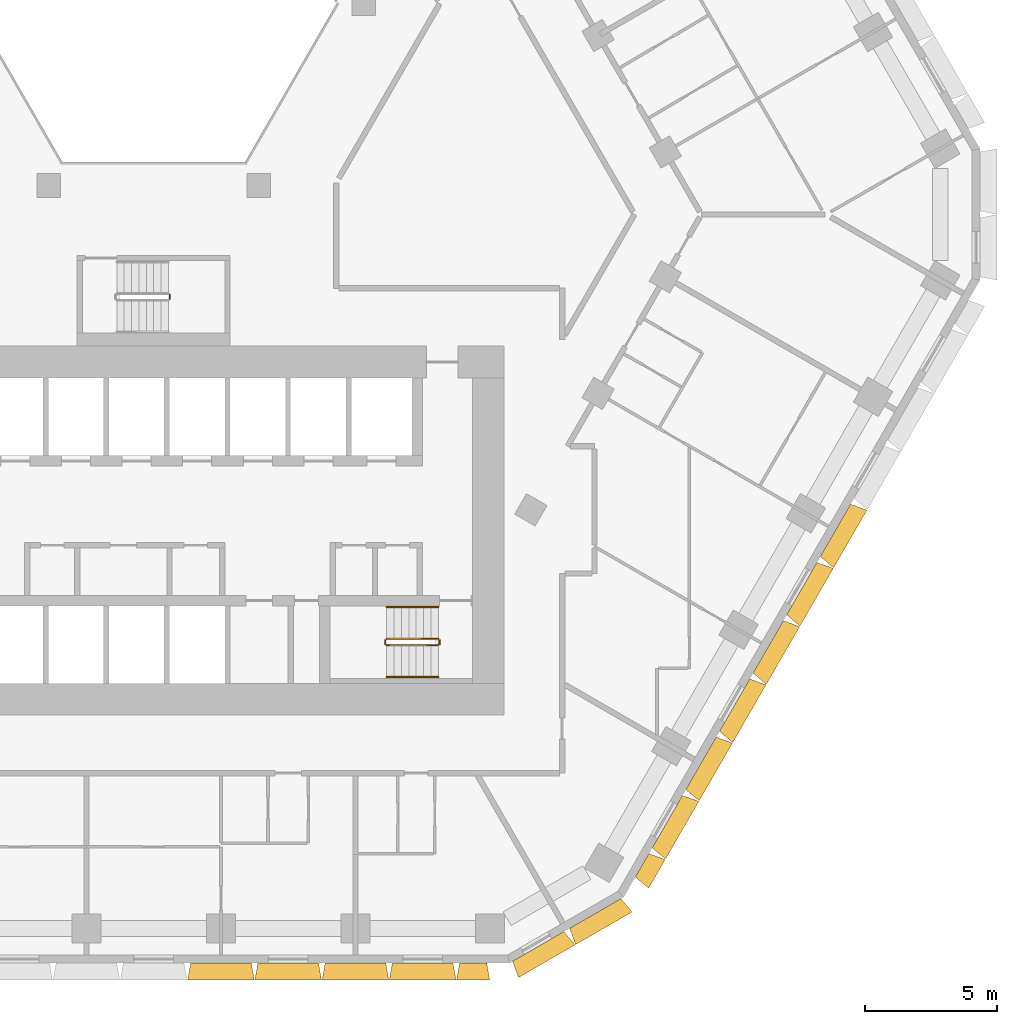
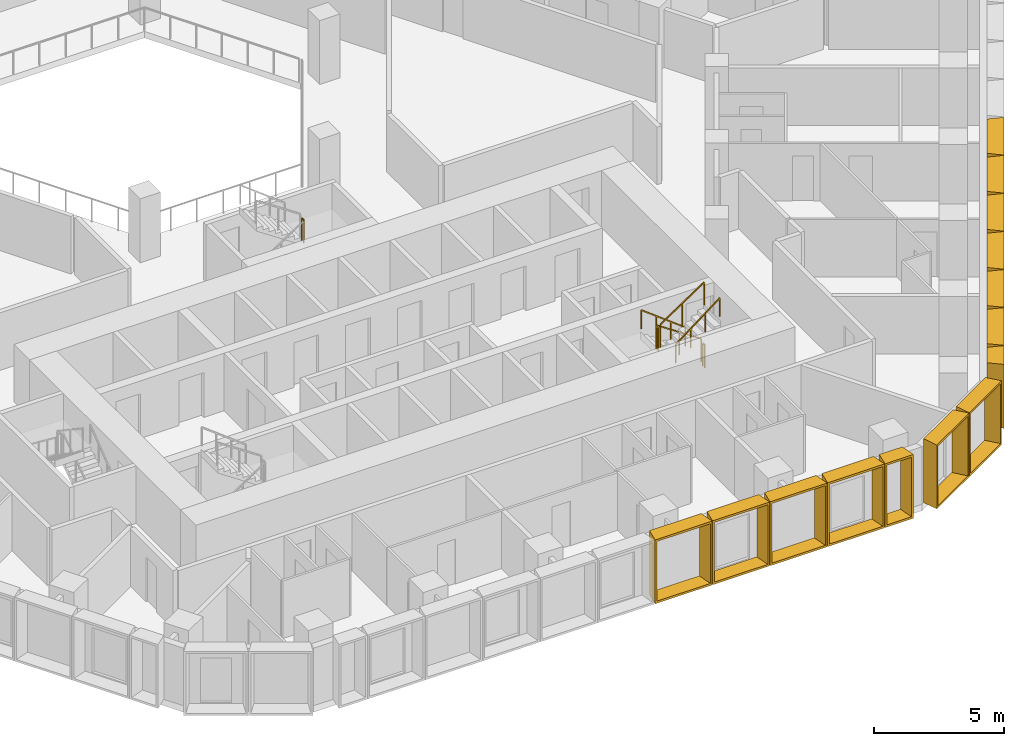
# One storey, part 15 of 16: 14 shading devices, 7 railings.
"""IFC4 building model written with IfcOpenShell, lengths in metres."""

from ifc_helpers import new_model, entity, si_unit, direction, frame, origin, origin_2d, place, context, subcontext, project, spatial, rectangle, extrude, source, transform, mapped, material, type_object, type_shapes, element, save


model = new_model("IFC4")

# Units and contexts
model_context = context("Model", 3, precision=1e-05, world=origin(), true_north=direction((0.0, 1.0)))
body_context = subcontext(model_context, "Body", "Model", "MODEL_VIEW")
ifc_project = project(units=[si_unit("LENGTHUNIT", "METRE"), si_unit("AREAUNIT", "SQUARE_METRE"), si_unit("VOLUMEUNIT", "CUBIC_METRE"), si_unit("PLANEANGLEUNIT", "RADIAN"), si_unit("MASSUNIT", "GRAM", prefix="KILO")], contexts=[model_context])

# Site, building, storey
site_placement = place(None, origin())
site = spatial("IfcSite", under=ifc_project, at=site_placement, CompositionType="ELEMENT")
building_placement = place(site_placement, origin())
building = spatial("IfcBuilding", under=site, at=building_placement, Name="Beryl Residences", CompositionType="ELEMENT")
storey_placement = place(building_placement, frame((0.0, 0.0, 56.39990234375)))
storey = spatial("IfcBuildingStorey", under=building, at=storey_placement, Name="L17", CompositionType="ELEMENT", Elevation=56.39990234375)

# Shading devices
ifc_material_1 = material(Name="Aluminium pale anodised", Category="aluminium")
shading_device_type_1 = type_object("IfcShadingDeviceType", Name="FR128-65A OUTER SKIN frame 650 mm deep, splay 10/10 deg, 1280 x 3000 mm cell", PredefinedType="USERDEFINED", material=ifc_material_1)
cartesian_point_1 = entity("IfcCartesianPoint", [-0.514892578125, 0.0])
cartesian_point_2 = entity("IfcCartesianPoint", [-0.433837890625, 0.10009765625])
cartesian_point_3 = entity("IfcCartesianPoint", [-0.629638671875, 0.0])
cartesian_point_4 = entity("IfcCartesianPoint", [-0.54833984375, 0.10009765625])
shared_shape_1 = source(origin(), body_context, "Body", "SweptSolid", [
    entity("IfcExtrudedAreaSolidTapered", entity("IfcArbitraryProfileDefWithVoids", "AREA", None, entity("IfcPolyline", [cartesian_point_1, entity("IfcCartesianPoint", [0.514892578125, 0.0]), entity("IfcCartesianPoint", [0.514892578125, 3.0]), entity("IfcCartesianPoint", [-0.514892578125, 3.0]), cartesian_point_1]), [entity("IfcPolyline", [cartesian_point_2, entity("IfcCartesianPoint", [0.433837890625, 0.10009765625]), entity("IfcCartesianPoint", [0.433837890625, 2.89990234375]), entity("IfcCartesianPoint", [-0.433837890625, 2.89990234375]), cartesian_point_2])]), entity("IfcAxis2Placement3D", entity("IfcCartesianPoint", [0.0, 0.0, 0.0]), entity("IfcDirection", [0.0, 1.0, 0.0]), entity("IfcDirection", [-1.0, 0.0, 0.0])), entity("IfcDirection", [0.0, 0.0, 1.0]), 0.64990234375, entity("IfcArbitraryProfileDefWithVoids", "AREA", None, entity("IfcPolyline", [cartesian_point_3, entity("IfcCartesianPoint", [0.629638671875, 0.0]), entity("IfcCartesianPoint", [0.629638671875, 3.0]), entity("IfcCartesianPoint", [-0.629638671875, 3.0]), cartesian_point_3]), [entity("IfcPolyline", [cartesian_point_4, entity("IfcCartesianPoint", [0.54833984375, 0.10009765625]), entity("IfcCartesianPoint", [0.54833984375, 2.89990234375]), entity("IfcCartesianPoint", [-0.54833984375, 2.89990234375]), cartesian_point_4])])),
])
type_shapes(shading_device_type_1, [shared_shape_1])
for number, where, z_axis, x_axis, name in (
    (1, (12.123046875, -28.39990234375, 0.0), (0.0, 0.0, 1.0), (-1.0, 0.0, 0.0), "FR128-65A frame L17 S 11"),
    (2, (18.534912109375, -24.697021484375, 0.0), (0.0, 0.0, 1.0), (-0.5, -0.866025403784, 0.0), "FR128-65A frame L17 SE 1"),
):
    element("IfcShadingDevice", number, at=place(storey_placement, frame(where, z_axis=z_axis, x_axis=x_axis)), inside=storey, type_object=shading_device_type_1, Name=name, ObjectType="OUTER SKIN", PredefinedType="USERDEFINED", context=body_context, shape_type="MappedRepresentation", body=[
        mapped(shared_shape_1, transform((0.0, 0.0, 0.0))),
    ])
ifc_material_2 = material(Name="Aluminium pale anodised", Category="aluminium")
shading_device_type_2 = type_object("IfcShadingDeviceType", Name="FR250-65A OUTER SKIN frame 650 mm deep, splay 10/10 deg, 2500 x 3000 mm cell", PredefinedType="USERDEFINED", material=ifc_material_2)
cartesian_point_5 = entity("IfcCartesianPoint", [-1.125, 0.0])
cartesian_point_6 = entity("IfcCartesianPoint", [-1.043701171875, 0.10009765625])
cartesian_point_7 = entity("IfcCartesianPoint", [-1.239501953125, 0.0])
cartesian_point_8 = entity("IfcCartesianPoint", [-1.158447265625, 0.10009765625])
shared_shape_2 = source(origin(), body_context, "Body", "SweptSolid", [
    entity("IfcExtrudedAreaSolidTapered", entity("IfcArbitraryProfileDefWithVoids", "AREA", None, entity("IfcPolyline", [cartesian_point_5, entity("IfcCartesianPoint", [1.125, 0.0]), entity("IfcCartesianPoint", [1.125, 3.0]), entity("IfcCartesianPoint", [-1.125, 3.0]), cartesian_point_5]), [entity("IfcPolyline", [cartesian_point_6, entity("IfcCartesianPoint", [1.043701171875, 0.10009765625]), entity("IfcCartesianPoint", [1.043701171875, 2.89990234375]), entity("IfcCartesianPoint", [-1.043701171875, 2.89990234375]), cartesian_point_6])]), entity("IfcAxis2Placement3D", entity("IfcCartesianPoint", [0.0, 0.0, 0.0]), entity("IfcDirection", [0.0, 1.0, 0.0]), entity("IfcDirection", [-1.0, 0.0, 0.0])), entity("IfcDirection", [0.0, 0.0, 1.0]), 0.64990234375, entity("IfcArbitraryProfileDefWithVoids", "AREA", None, entity("IfcPolyline", [cartesian_point_7, entity("IfcCartesianPoint", [1.239501953125, 0.0]), entity("IfcCartesianPoint", [1.239501953125, 3.0]), entity("IfcCartesianPoint", [-1.239501953125, 3.0]), cartesian_point_7]), [entity("IfcPolyline", [cartesian_point_8, entity("IfcCartesianPoint", [1.158447265625, 0.10009765625]), entity("IfcCartesianPoint", [1.158447265625, 2.89990234375]), entity("IfcCartesianPoint", [-1.158447265625, 2.89990234375]), cartesian_point_8])])),
])
type_shapes(shading_device_type_2, [shared_shape_2])
for number, where, z_axis, x_axis, name in (
    (3, (14.593017578125, -27.77490234375, 0.0), (0.0, 0.0, 1.0), (-0.866025403784, -0.5, 0.0), "FR250-65A frame L17 S-SE 1"),
    (4, (16.758056640625, -26.52490234375, 0.0), (0.0, 0.0, 1.0), (-0.866025403784, -0.5, 0.0), "FR250-65A frame L17 S-SE 2"),
):
    element("IfcShadingDevice", number, at=place(storey_placement, frame(where, z_axis=z_axis, x_axis=x_axis)), inside=storey, type_object=shading_device_type_2, Name=name, ObjectType="OUTER SKIN", PredefinedType="USERDEFINED", context=body_context, shape_type="MappedRepresentation", body=[
        mapped(shared_shape_2, transform((0.0, 0.0, 0.0))),
    ])
ifc_material_3 = material(Name="Aluminium pale anodised", Category="aluminium")
shading_device_type_3 = type_object("IfcShadingDeviceType", Name="FR255-65A OUTER SKIN frame 650 mm deep, splay 10/10 deg, 2550 x 3000 mm cell", PredefinedType="USERDEFINED", material=ifc_material_3)
cartesian_point_9 = entity("IfcCartesianPoint", [-1.14990234375, 0.0])
cartesian_point_10 = entity("IfcCartesianPoint", [-1.06884765625, 0.10009765625])
cartesian_point_11 = entity("IfcCartesianPoint", [-1.2646484375, 0.0])
cartesian_point_12 = entity("IfcCartesianPoint", [-1.183349609375, 0.10009765625])
shared_shape_3 = source(origin(), body_context, "Body", "SweptSolid", [
    entity("IfcExtrudedAreaSolidTapered", entity("IfcArbitraryProfileDefWithVoids", "AREA", None, entity("IfcPolyline", [cartesian_point_9, entity("IfcCartesianPoint", [1.14990234375, 0.0]), entity("IfcCartesianPoint", [1.14990234375, 3.0]), entity("IfcCartesianPoint", [-1.14990234375, 3.0]), cartesian_point_9]), [entity("IfcPolyline", [cartesian_point_10, entity("IfcCartesianPoint", [1.06884765625, 0.10009765625]), entity("IfcCartesianPoint", [1.06884765625, 2.89990234375]), entity("IfcCartesianPoint", [-1.06884765625, 2.89990234375]), cartesian_point_10])]), entity("IfcAxis2Placement3D", entity("IfcCartesianPoint", [0.0, 0.0, 0.0]), entity("IfcDirection", [0.0, 1.0, 0.0]), entity("IfcDirection", [-1.0, 0.0, 0.0])), entity("IfcDirection", [0.0, 0.0, 1.0]), 0.64990234375, entity("IfcArbitraryProfileDefWithVoids", "AREA", None, entity("IfcPolyline", [cartesian_point_11, entity("IfcCartesianPoint", [1.2646484375, 0.0]), entity("IfcCartesianPoint", [1.2646484375, 3.0]), entity("IfcCartesianPoint", [-1.2646484375, 3.0]), cartesian_point_11]), [entity("IfcPolyline", [cartesian_point_12, entity("IfcCartesianPoint", [1.183349609375, 0.10009765625]), entity("IfcCartesianPoint", [1.183349609375, 2.89990234375]), entity("IfcCartesianPoint", [-1.183349609375, 2.89990234375]), cartesian_point_12])])),
])
type_shapes(shading_device_type_3, [shared_shape_3])
for number, where, z_axis, x_axis, name in (
    (5, (2.552978515625, -28.39990234375, 0.0), (0.0, 0.0, 1.0), (-1.0, 0.0, 0.0), "FR255-65A frame L17 S 7"),
    (6, (5.10498046875, -28.39990234375, 0.0), (0.0, 0.0, 1.0), (-1.0, 0.0, 0.0), "FR255-65A frame L17 S 8"),
    (7, (7.656982421875, -28.39990234375, 0.0), (0.0, 0.0, 1.0), (-1.0, 0.0, 0.0), "FR255-65A frame L17 S 9"),
    (8, (10.208984375, -28.39990234375, 0.0), (0.0, 0.0, 1.0), (-1.0, 0.0, 0.0), "FR255-65A frame L17 S 10"),
    (9, (19.491943359375, -23.0400390625, 0.0), (0.0, 0.0, 1.0), (-0.5, -0.866025403784, 0.0), "FR255-65A frame L17 SE 2"),
    (10, (20.76806640625, -20.830078125, 0.0), (0.0, 0.0, 1.0), (-0.5, -0.866025403784, 0.0), "FR255-65A frame L17 SE 3"),
    (11, (22.0439453125, -18.618896484375, 0.0), (0.0, 0.0, 1.0), (-0.5, -0.866025403784, 0.0), "FR255-65A frame L17 SE 4"),
    (12, (23.320068359375, -16.408935546875, 0.0), (0.0, 0.0, 1.0), (-0.5, -0.866025403784, 0.0), "FR255-65A frame L17 SE 5"),
    (13, (24.594970703125, -14.198974609375, 0.0), (0.0, 0.0, 1.0), (-0.5, -0.866025403784, 0.0), "FR255-65A frame L17 SE 6"),
    (14, (25.87109375, -11.989013671875, 0.0), (0.0, 0.0, 1.0), (-0.5, -0.866025403784, 0.0), "FR255-65A frame L17 SE 7"),
):
    element("IfcShadingDevice", number, at=place(storey_placement, frame(where, z_axis=z_axis, x_axis=x_axis)), inside=storey, type_object=shading_device_type_3, Name=name, ObjectType="OUTER SKIN", PredefinedType="USERDEFINED", context=body_context, shape_type="MappedRepresentation", body=[
        mapped(shared_shape_3, transform((0.0, 0.0, 0.0))),
    ])

# Railings
ifc_material_4 = material(Name="Stainless steel balustrade with glass infill", Category="steel")
railing_type_1 = type_object("IfcRailingType", Name="SG1 stair guard 1100 mm", PredefinedType="GUARDRAIL", material=ifc_material_4)
railing_1_placement = place(storey_placement, frame((10.800048828125, -16.10009765625, 0.1875)))
element("IfcRailing", 15, at=railing_1_placement, inside=storey, type_object=railing_type_1, Name="L17 ST-3 stair guard 1", PredefinedType="GUARDRAIL", context=body_context, shape_type="SweptSolid", body=[
    extrude(rectangle(XDim=0.048095703125, YDim=0.048095703125, at=origin_2d()), frame((0.0, 0.0, 1.076171875), z_axis=(-0.830902050051, 0.0, 0.556418712142), x_axis=(0.0, -1.0, 0.0)), (0.0, 0.0, 1.0), 2.35888671875),
    extrude(rectangle(XDim=0.0419921875, YDim=0.0419921875, at=origin_2d()), origin(), (0.0, 0.0, 1.0), 1.052001953125),
    extrude(rectangle(XDim=0.0419921875, YDim=0.0419921875, at=origin_2d()), frame((-0.97998046875, 0.0, 0.65625)), (0.0, 0.0, 1.0), 1.052001953125),
    extrude(rectangle(XDim=0.0419921875, YDim=0.0419921875, at=origin_2d()), frame((-1.9599609375, 0.0, 1.3125)), (0.0, 0.0, 1.0), 1.052001953125),
])
railing_2_placement = place(storey_placement, frame((8.7900390625, -16.14990234375, 1.5)))
element("IfcRailing", 16, at=railing_2_placement, inside=storey, type_object=railing_type_1, Name="L17 ST-3 stair guard 2", PredefinedType="GUARDRAIL", context=body_context, shape_type="SweptSolid", body=[
    extrude(rectangle(XDim=0.048095703125, YDim=0.048095703125, at=origin_2d()), frame((0.0, 0.0, 1.076171875), z_axis=(0.0, -1.0, 0.0), x_axis=(1.0, 0.0, 0.0)), (0.0, 0.0, 1.0), 0.150146484375),
    extrude(rectangle(XDim=0.0419921875, YDim=0.0419921875, at=origin_2d()), origin(), (0.0, 0.0, 1.0), 1.052001953125),
    extrude(rectangle(XDim=0.0419921875, YDim=0.0419921875, at=origin_2d()), frame((0.0, -0.150146484375, 0.0)), (0.0, 0.0, 1.0), 1.052001953125),
])
railing_3_placement = place(storey_placement, frame((8.840087890625, -16.35009765625, 1.6875)))
element("IfcRailing", 17, at=railing_3_placement, inside=storey, type_object=railing_type_1, Name="L17 ST-3 stair guard 3", PredefinedType="GUARDRAIL", context=body_context, shape_type="SweptSolid", body=[
    extrude(rectangle(XDim=0.048095703125, YDim=0.048095703125, at=origin_2d()), frame((0.0, 0.0, 1.076171875), z_axis=(0.830902050051, 0.0, 0.556418712142), x_axis=(0.0, 1.0, 0.0)), (0.0, 0.0, 1.0), 2.35888671875),
    extrude(rectangle(XDim=0.0419921875, YDim=0.0419921875, at=origin_2d()), origin(), (0.0, 0.0, 1.0), 1.052001953125),
    extrude(rectangle(XDim=0.0419921875, YDim=0.0419921875, at=origin_2d()), frame((0.97998046875, 0.0, 0.65625)), (0.0, 0.0, 1.0), 1.052001953125),
    extrude(rectangle(XDim=0.0419921875, YDim=0.0419921875, at=origin_2d()), frame((1.9599609375, 0.0, 1.3125)), (0.0, 0.0, 1.0), 1.052001953125),
])
railing_4_placement = place(storey_placement, frame((10.85009765625, -16.14990234375, 0.0)))
element("IfcRailing", 18, at=railing_4_placement, inside=storey, type_object=railing_type_1, Name="L17 ST-3 stair guard 4", PredefinedType="GUARDRAIL", context=body_context, shape_type="SweptSolid", body=[
    extrude(rectangle(XDim=0.048095703125, YDim=0.048095703125, at=origin_2d()), frame((0.0, 0.0, 1.076171875), z_axis=(0.0, -1.0, 0.0), x_axis=(1.0, 0.0, 0.0)), (0.0, 0.0, 1.0), 0.150146484375),
    extrude(rectangle(XDim=0.0419921875, YDim=0.0419921875, at=origin_2d()), origin(), (0.0, 0.0, 1.0), 1.052001953125),
    extrude(rectangle(XDim=0.0419921875, YDim=0.0419921875, at=origin_2d()), frame((0.0, -0.150146484375, 0.0)), (0.0, 0.0, 1.0), 1.052001953125),
])
railing_5_placement = place(storey_placement, frame((0.610107421875, -3.199951171875, 1.5)))
element("IfcRailing", 19, at=railing_5_placement, inside=storey, type_object=railing_type_1, Name="L17 ST-4 stair guard 2", PredefinedType="GUARDRAIL", context=body_context, shape_type="SweptSolid", body=[
    extrude(rectangle(XDim=0.048095703125, YDim=0.048095703125, at=origin_2d()), frame((0.0, 0.0, 1.076171875), z_axis=(0.0, 1.0, 0.0), x_axis=(-1.0, 0.0, 0.0)), (0.0, 0.0, 1.0), 0.14990234375),
    extrude(rectangle(XDim=0.0419921875, YDim=0.0419921875, at=origin_2d()), origin(), (0.0, 0.0, 1.0), 1.052001953125),
    extrude(rectangle(XDim=0.0419921875, YDim=0.0419921875, at=origin_2d()), frame((0.0, 0.14990234375, 0.0)), (0.0, 0.0, 1.0), 1.052001953125),
])
ifc_material_5 = material(Name="Stainless steel handrail", Category="steel")
railing_type_2 = type_object("IfcRailingType", Name="SRL1 stair handrail 900 mm", PredefinedType="HANDRAIL", material=ifc_material_5)
railing_6_placement = place(storey_placement, frame((10.800048828125, -14.89990234375, 0.1875)))
element("IfcRailing", 20, at=railing_6_placement, inside=storey, type_object=railing_type_2, Name="L17 ST-3 stair handrail 1", PredefinedType="HANDRAIL", context=body_context, shape_type="SweptSolid", body=[
    extrude(rectangle(XDim=0.048095703125, YDim=0.048095703125, at=origin_2d()), frame((0.0, 0.0, 0.8759765625), z_axis=(-0.794121922505, 0.0, 0.607758481798), x_axis=(0.0, -1.0, 0.0)), (0.0, 0.0, 1.0), 2.468017578125),
    extrude(rectangle(XDim=0.0419921875, YDim=0.0419921875, at=origin_2d()), origin(), (0.0, 0.0, 1.0), 0.851806640625),
    extrude(rectangle(XDim=0.0419921875, YDim=0.0419921875, at=origin_2d()), frame((-0.6533203125, 0.0, 0.5)), (0.0, 0.0, 1.0), 0.851806640625),
    extrude(rectangle(XDim=0.0419921875, YDim=0.0419921875, at=origin_2d()), frame((-1.306640625, 0.0, 1.0)), (0.0, 0.0, 1.0), 0.851806640625),
    extrude(rectangle(XDim=0.0419921875, YDim=0.0419921875, at=origin_2d()), frame((-1.9599609375, 0.0, 1.5)), (0.0, 0.0, 1.0), 0.851806640625),
])
railing_7_placement = place(storey_placement, frame((8.840087890625, -17.550048828125, 1.6875)))
element("IfcRailing", 21, at=railing_7_placement, inside=storey, type_object=railing_type_2, Name="L17 ST-3 stair handrail 2", PredefinedType="HANDRAIL", context=body_context, shape_type="SweptSolid", body=[
    extrude(rectangle(XDim=0.048095703125, YDim=0.048095703125, at=origin_2d()), frame((0.0, 0.0, 0.8759765625), z_axis=(0.794121922505, 0.0, 0.607758481798), x_axis=(0.0, 1.0, 0.0)), (0.0, 0.0, 1.0), 2.468017578125),
    extrude(rectangle(XDim=0.0419921875, YDim=0.0419921875, at=origin_2d()), origin(), (0.0, 0.0, 1.0), 0.851806640625),
    extrude(rectangle(XDim=0.0419921875, YDim=0.0419921875, at=origin_2d()), frame((0.6533203125, 0.0, 0.5)), (0.0, 0.0, 1.0), 0.851806640625),
    extrude(rectangle(XDim=0.0419921875, YDim=0.0419921875, at=origin_2d()), frame((1.306640625, 0.0, 1.0)), (0.0, 0.0, 1.0), 0.851806640625),
    extrude(rectangle(XDim=0.0419921875, YDim=0.0419921875, at=origin_2d()), frame((1.9599609375, 0.0, 1.5)), (0.0, 0.0, 1.0), 0.851806640625),
])

save(model, "model.ifc")
